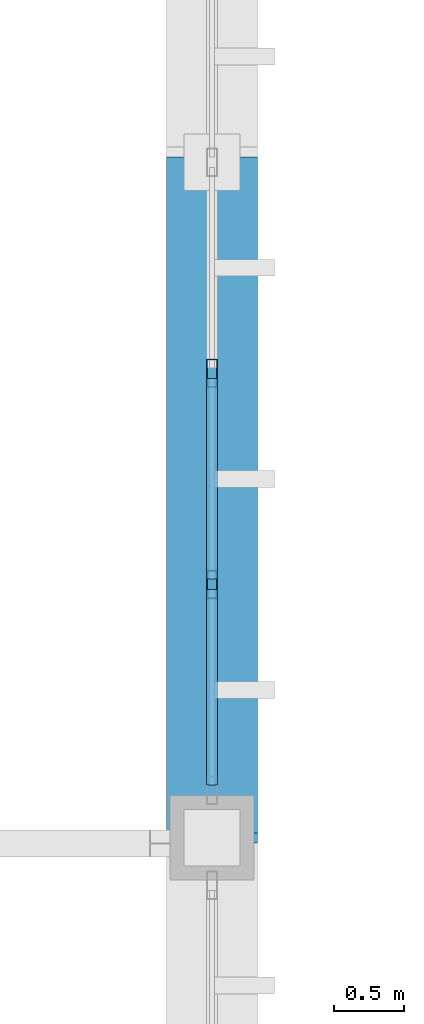
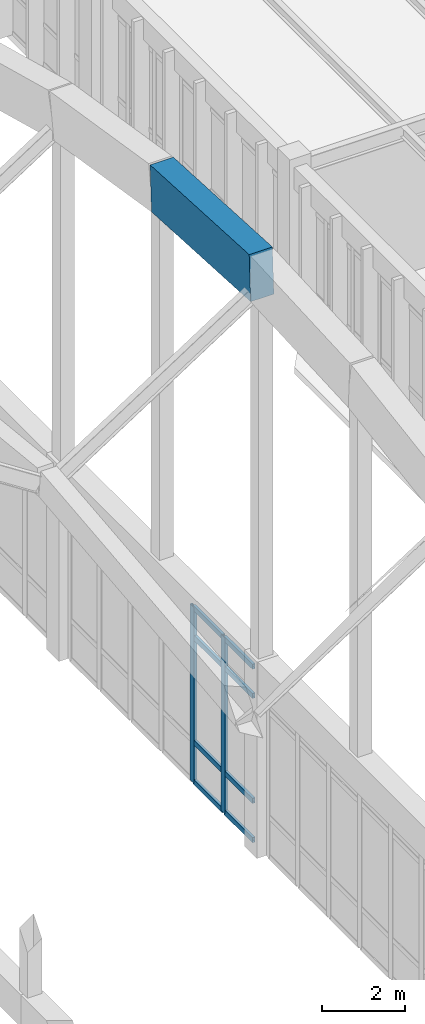
# One storey, part 140 of 236: 11 members, 1 element without a shape of its own.
"""IFC4 building model written with IfcOpenShell, lengths in metres."""

from ifc_helpers import new_model, si_unit, direction, frame, origin, origin_2d, place, context, subcontext, project, spatial, rectangle, hollow_rectangle, extrude, material, layer, layer_set, material_profile, profile_set, type_object, element, aggregate, save


model = new_model("IFC4")

# Units and contexts
model_context = context("Model", 3, precision=1e-05, world=origin(), true_north=direction((0.0, 1.0)))
body_context = subcontext(model_context, "Body", "Model", "MODEL_VIEW")
ifc_project = project(units=[si_unit("LENGTHUNIT", "METRE"), si_unit("AREAUNIT", "SQUARE_METRE"), si_unit("VOLUMEUNIT", "CUBIC_METRE"), si_unit("PLANEANGLEUNIT", "RADIAN"), si_unit("MASSUNIT", "GRAM", prefix="KILO")], contexts=[model_context])

# Site, building, storey
site_placement = place(None, origin())
site = spatial("IfcSite", under=ifc_project, at=site_placement, CompositionType="ELEMENT")
building_placement = place(site_placement, origin())
building = spatial("IfcBuilding", under=site, at=building_placement, Name="Pandanus Reach Market Hall", CompositionType="ELEMENT")
storey_placement = place(building_placement, frame((0.0, 0.0, 5.39990234375)))
storey = spatial("IfcBuildingStorey", under=building, at=storey_placement, Name="L01", CompositionType="ELEMENT", Elevation=5.39990234375)

# Member
ifc_material_1 = material(Name="Concrete N50 (50 MPa)", Category="concrete")
ifc_material_profile_1 = material_profile(ifc_material_1, rectangle(XDim=0.64990234375, YDim=1.35009765625, at=origin_2d()), Name="RC650x1350", Category="LoadBearing")
ifc_profile_set_1 = profile_set([ifc_material_profile_1], Name="Concrete N50 (50 MPa)")
member_type_1 = type_object("IfcMemberType", Name="AR-RC650-E", PredefinedType="CHORD", material=ifc_profile_set_1)
member_1_placement = place(storey_placement, frame((132.0, 57.60009765625, 16.97998046875), z_axis=(0.0, 0.998587639649, -0.053129332201), x_axis=(-1.0, 0.0, 0.0)))
element("IfcMember", 1, at=member_1_placement, inside=storey, type_object=member_type_1, Name="Parabolic arch top chord A8.7", PredefinedType="CHORD", context=body_context, shape_type="SweptSolid", body=[
    extrude(rectangle(XDim=0.64990234375, YDim=1.35009765625, at=origin_2d()), origin(), (0.0, 0.0, 1.0), 4.806640625),
])

# Curtain wall, members
ifc_material_2 = material(Name="Bronze anodised aluminium and low-E glass", Category="aluminium")
ifc_layer = layer(ifc_material_2, 0.199951171875, Name="CW-05")
ifc_layer_set = layer_set([ifc_layer], Name="Bronze anodised aluminium and low-E glass")
curtain_wall_type = type_object("IfcCurtainWallType", Name="CW-05", PredefinedType="NOTDEFINED", material=ifc_layer_set)
curtain_wall_placement = place(storey_placement, origin())
curtain_wall = element("IfcCurtainWall", 2, at=curtain_wall_placement, inside=storey, type_object=curtain_wall_type, Name="Glazed curtain wall CW-05 CW-0031", PredefinedType="NOTDEFINED")
ifc_material_3 = material(Name="Bronze anodised aluminium", Category="aluminium")
ifc_material_profile_2 = material_profile(ifc_material_3, hollow_rectangle(XDim=0.074951171875, YDim=0.199951171875, WallThickness=0.00439453125, at=origin_2d()), Name="ALU75x200", Category="LoadBearing")
ifc_profile_set_2 = profile_set([ifc_material_profile_2], Name="Bronze anodised aluminium")
member_type_2 = type_object("IfcMemberType", Name="CW-M2", PredefinedType="MULLION", material=ifc_profile_set_2)
member_2_placement = place(storey_placement, frame((132.0, 59.39990234375, 0.0), z_axis=(0.0, 0.0, 1.0), x_axis=(-1.0, 0.0, 0.0)))
member_2 = element("IfcMember", 3, at=member_2_placement, type_object=member_type_2, Name="CW-05 mullion 2", PredefinedType="MULLION", context=body_context, shape_type="SweptSolid", body=[
    extrude(hollow_rectangle(XDim=0.074951171875, YDim=0.199951171875, WallThickness=0.00439453125, at=origin_2d()), origin(), (0.0, 0.0, 1.0), 5.2001953125),
])
member_3_placement = place(storey_placement, frame((132.0, 60.89990234375, 0.0), z_axis=(0.0, 0.0, 1.0), x_axis=(-1.0, 0.0, 0.0)))
member_3 = element("IfcMember", 4, at=member_3_placement, type_object=member_type_2, Name="CW-05 mullion 3", PredefinedType="MULLION", context=body_context, shape_type="SweptSolid", body=[
    extrude(hollow_rectangle(XDim=0.074951171875, YDim=0.199951171875, WallThickness=0.00439453125, at=origin_2d()), origin(), (0.0, 0.0, 1.0), 5.2001953125),
])
ifc_material_profile_3 = material_profile(ifc_material_3, hollow_rectangle(XDim=0.074951171875, YDim=0.14990234375, WallThickness=0.00439453125, at=origin_2d()), Name="ALU75x150", Category="LoadBearing")
ifc_profile_set_3 = profile_set([ifc_material_profile_3], Name="Bronze anodised aluminium")
member_type_3 = type_object("IfcMemberType", Name="CW-T2", PredefinedType="USERDEFINED", material=ifc_profile_set_3)
member_4_placement = place(storey_placement, frame((132.0, 57.97509765625, 0.03759765625), z_axis=(0.0, 1.0, 0.0), x_axis=(-1.0, 0.0, 0.0)))
member_4 = element("IfcMember", 5, at=member_4_placement, type_object=member_type_3, Name="CW-05 transom 1.1", ObjectType="TRANSOM", PredefinedType="USERDEFINED", context=body_context, shape_type="SweptSolid", body=[
    extrude(hollow_rectangle(XDim=0.074951171875, YDim=0.14990234375, WallThickness=0.00439453125, at=origin_2d()), origin(), (0.0, 0.0, 1.0), 1.387451171875),
])
member_5_placement = place(storey_placement, frame((132.0, 57.97509765625, 1.2001953125), z_axis=(0.0, 1.0, 0.0), x_axis=(-1.0, 0.0, 0.0)))
member_5 = element("IfcMember", 6, at=member_5_placement, type_object=member_type_3, Name="CW-05 transom 1.2", ObjectType="TRANSOM", PredefinedType="USERDEFINED", context=body_context, shape_type="SweptSolid", body=[
    extrude(hollow_rectangle(XDim=0.074951171875, YDim=0.14990234375, WallThickness=0.00439453125, at=origin_2d()), origin(), (0.0, 0.0, 1.0), 1.387451171875),
])
member_6_placement = place(storey_placement, frame((132.0, 57.97509765625, 4.300048828125), z_axis=(0.0, 1.0, 0.0), x_axis=(-1.0, 0.0, 0.0)))
member_6 = element("IfcMember", 7, at=member_6_placement, type_object=member_type_3, Name="CW-05 transom 1.3", ObjectType="TRANSOM", PredefinedType="USERDEFINED", context=body_context, shape_type="SweptSolid", body=[
    extrude(hollow_rectangle(XDim=0.074951171875, YDim=0.14990234375, WallThickness=0.00439453125, at=origin_2d()), origin(), (0.0, 0.0, 1.0), 1.387451171875),
])
member_7_placement = place(storey_placement, frame((132.0, 57.97509765625, 5.16259765625), z_axis=(0.0, 1.0, 0.0), x_axis=(-1.0, 0.0, 0.0)))
member_7 = element("IfcMember", 8, at=member_7_placement, type_object=member_type_3, Name="CW-05 transom 1.4", ObjectType="TRANSOM", PredefinedType="USERDEFINED", context=body_context, shape_type="SweptSolid", body=[
    extrude(hollow_rectangle(XDim=0.074951171875, YDim=0.14990234375, WallThickness=0.00439453125, at=origin_2d()), origin(), (0.0, 0.0, 1.0), 1.387451171875),
])
member_8_placement = place(storey_placement, frame((132.0, 59.4375, 0.03759765625), z_axis=(0.0, 1.0, 0.0), x_axis=(-1.0, 0.0, 0.0)))
member_8 = element("IfcMember", 9, at=member_8_placement, type_object=member_type_3, Name="CW-05 transom 2.1", ObjectType="TRANSOM", PredefinedType="USERDEFINED", context=body_context, shape_type="SweptSolid", body=[
    extrude(hollow_rectangle(XDim=0.074951171875, YDim=0.14990234375, WallThickness=0.00439453125, at=origin_2d()), origin(), (0.0, 0.0, 1.0), 1.425048828125),
])
member_9_placement = place(storey_placement, frame((132.0, 59.4375, 1.2001953125), z_axis=(0.0, 1.0, 0.0), x_axis=(-1.0, 0.0, 0.0)))
member_9 = element("IfcMember", 10, at=member_9_placement, type_object=member_type_3, Name="CW-05 transom 2.2", ObjectType="TRANSOM", PredefinedType="USERDEFINED", context=body_context, shape_type="SweptSolid", body=[
    extrude(hollow_rectangle(XDim=0.074951171875, YDim=0.14990234375, WallThickness=0.00439453125, at=origin_2d()), origin(), (0.0, 0.0, 1.0), 1.425048828125),
])
member_10_placement = place(storey_placement, frame((132.0, 59.4375, 4.300048828125), z_axis=(0.0, 1.0, 0.0), x_axis=(-1.0, 0.0, 0.0)))
member_10 = element("IfcMember", 11, at=member_10_placement, type_object=member_type_3, Name="CW-05 transom 2.3", ObjectType="TRANSOM", PredefinedType="USERDEFINED", context=body_context, shape_type="SweptSolid", body=[
    extrude(hollow_rectangle(XDim=0.074951171875, YDim=0.14990234375, WallThickness=0.00439453125, at=origin_2d()), origin(), (0.0, 0.0, 1.0), 1.425048828125),
])
member_11_placement = place(storey_placement, frame((132.0, 59.4375, 5.16259765625), z_axis=(0.0, 1.0, 0.0), x_axis=(-1.0, 0.0, 0.0)))
member_11 = element("IfcMember", 12, at=member_11_placement, type_object=member_type_3, Name="CW-05 transom 2.4", ObjectType="TRANSOM", PredefinedType="USERDEFINED", context=body_context, shape_type="SweptSolid", body=[
    extrude(hollow_rectangle(XDim=0.074951171875, YDim=0.14990234375, WallThickness=0.00439453125, at=origin_2d()), origin(), (0.0, 0.0, 1.0), 1.425048828125),
])
aggregate(curtain_wall, [member_2, member_3, member_4, member_5, member_6, member_7, member_8, member_9, member_10, member_11])

save(model, "model.ifc")
